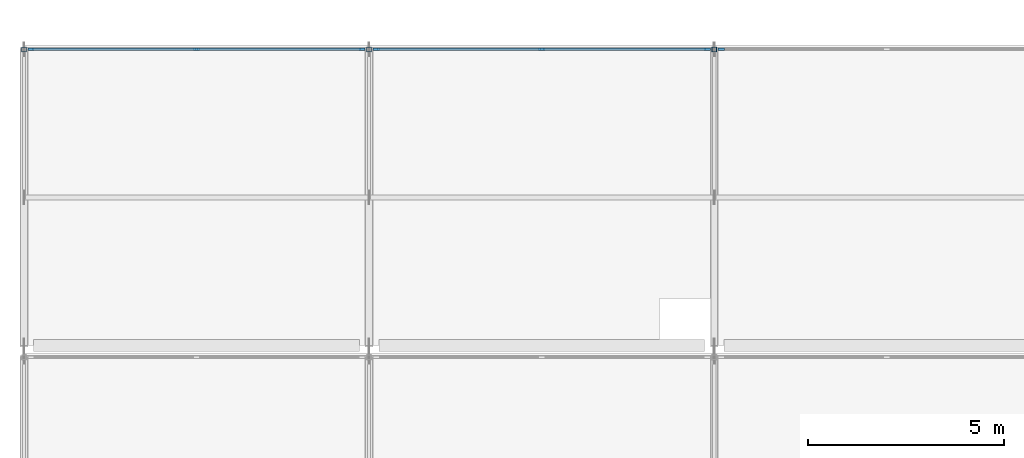
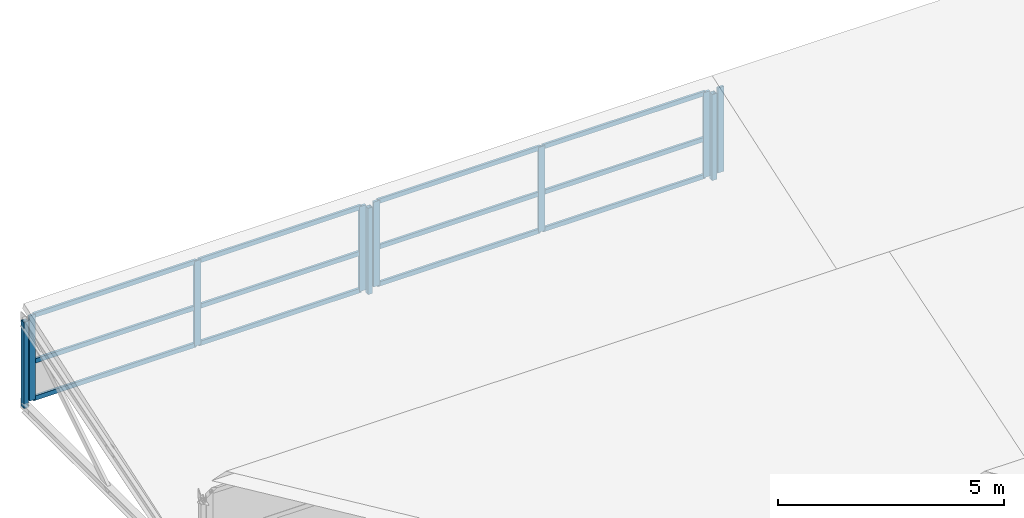
# One storey, part 17 of 40: 22 members, 3 elements without a shape of their own.
"""IFC4 building model written with IfcOpenShell, lengths in metres."""

import ifcopenshell
import ifcopenshell.guid

model = None  # the IFC model being written
_history = None  # IfcOwnerHistory: only IFC2X3 demands one
_inside = {}  # id of a spatial element -> (the spatial element, [elements in it])
_under = {}  # id of a project, library or spatial element -> (it, [spatial elements below it])
_declared = {}  # id of a project -> (the project, [libraries it declares])
_typed = {}  # id of a type object -> (the type object, [elements of that type])
_made_of = {}  # id of a material, layer set ... -> (it, [elements and type objects made of it])


def new_model(schema):
    """Start an empty IFC model of exactly this schema.

    Asked for "IFC4X3", IfcOpenShell would pick the latest addendum, in which some entities
    have other attributes; the version numbers below select the first issue.
    IFC2X3 requires an IfcOwnerHistory on every rooted entity: one is made here for all.
    """
    global model, _history
    if schema == "IFC4X3":
        model = ifcopenshell.file(schema_version=(4, 3, 0, 0))
    else:
        model = ifcopenshell.file(schema=schema)
    _inside.clear()
    _under.clear()
    _declared.clear()
    _typed.clear()
    _made_of.clear()
    _history = None
    if model.schema == "IFC2X3":
        org = make("IfcOrganization", Name="unknown")
        user = make(
            "IfcPersonAndOrganization",
            ThePerson=make("IfcPerson", FamilyName="unknown"),
            TheOrganization=org,
        )
        app = make(
            "IfcApplication",
            ApplicationDeveloper=org,
            Version="unknown",
            ApplicationFullName="unknown",
            ApplicationIdentifier="unknown",
        )
        _history = make(
            "IfcOwnerHistory",
            OwningUser=user,
            OwningApplication=app,
            ChangeAction="ADDED",
            CreationDate=0,
        )
    return model


def make(cls, **values):
    """One entity of the class cls with the attributes given. An attribute that is None is left unset."""
    return model.create_entity(
        cls, **{name: value for name, value in values.items() if value is not None}
    )


def rooted(cls, **values):
    """An entity with a GlobalId (a new one), such as an element, a storey or a relation."""
    return make(cls, GlobalId=ifcopenshell.guid.new(), OwnerHistory=_history, **values)


def si_unit(unit_type, name, prefix=None):
    """IfcSIUnit, for example si_unit("LENGTHUNIT", "METRE", prefix="MILLI")."""
    return make("IfcSIUnit", UnitType=unit_type, Prefix=prefix, Name=name)


def assignment(units):
    """IfcUnitAssignment: the units of a project."""
    return None if units is None else make("IfcUnitAssignment", Units=units)


def point(xyz):
    """IfcCartesianPoint."""
    return None if xyz is None else make("IfcCartesianPoint", Coordinates=xyz)


def direction(xyz):
    """IfcDirection."""
    return None if xyz is None else make("IfcDirection", DirectionRatios=xyz)


def frame(location, z_axis=None, x_axis=None):
    """IfcAxis2Placement3D, a coordinate frame: its origin and axes. An axis left out is left unset."""
    return make(
        "IfcAxis2Placement3D",
        Location=point(location),
        Axis=direction(z_axis),
        RefDirection=direction(x_axis),
    )


def frame_2d(location, x_axis=None):
    """IfcAxis2Placement2D, a coordinate frame in the plane: its origin and x axis."""
    return make(
        "IfcAxis2Placement2D", Location=point(location), RefDirection=direction(x_axis)
    )


def origin():
    """The frame at (0, 0, 0) with its axes left unset."""
    return frame((0.0, 0.0, 0.0))


def origin_2d():
    """The frame at (0, 0) in the plane with its x axis left unset."""
    return frame_2d((0.0, 0.0))


def place(relative_to, where):
    """IfcLocalPlacement: puts the frame where relative to a parent placement (None: the world)."""
    return make(
        "IfcLocalPlacement", PlacementRelTo=relative_to, RelativePlacement=where
    )


def context(
    kind, dimensions, precision=None, world=None, true_north=None, identifier=None
):
    """IfcGeometricRepresentationContext, for example the 3D "Model" context."""
    return make(
        "IfcGeometricRepresentationContext",
        ContextIdentifier=identifier,
        ContextType=kind,
        CoordinateSpaceDimension=dimensions,
        Precision=precision,
        WorldCoordinateSystem=world,
        TrueNorth=true_north,
    )


def subcontext(parent, identifier, kind, view, scale=None):
    """IfcGeometricRepresentationSubContext, for example "Body" below "Model"."""
    return make(
        "IfcGeometricRepresentationSubContext",
        ContextIdentifier=identifier,
        ContextType=kind,
        ParentContext=parent,
        TargetScale=scale,
        TargetView=view,
    )


def project(units=None, contexts=None):
    """IfcProject with its units and contexts."""
    return rooted(
        "IfcProject",
        Name="project",
        RepresentationContexts=contexts,
        UnitsInContext=assignment(units),
    )


def spatial(cls, under=None, at=None, **own):
    """A site, building, storey or space (cls), placed at a placement, below another one or the project."""
    s = rooted(cls, ObjectPlacement=at, **own)
    if under is not None:
        _under.setdefault(under.id(), (under, []))[1].append(s)
    return s


def profile(cls, at=None, kind="AREA", **sizes):
    """A parametric profile (cls). Its sizes go by their IFC names, for example OverallWidth=200.0."""
    return make(cls, ProfileType=kind, Position=at, **sizes)


def rectangle(**sizes):
    """IfcRectangleProfileDef."""
    return profile("IfcRectangleProfileDef", **sizes)


def hollow_rectangle(**sizes):
    """IfcRectangleHollowProfileDef."""
    return profile("IfcRectangleHollowProfileDef", **sizes)


def extrude(swept, where, along, depth):
    """IfcExtrudedAreaSolid: the profile swept, set in the frame where, extruded along a direction by depth."""
    return make(
        "IfcExtrudedAreaSolid",
        SweptArea=swept,
        Position=where,
        ExtrudedDirection=direction(along),
        Depth=depth,
    )


def shape(context_of_items, identifier, shape_type, items):
    """IfcShapeRepresentation: the items that make up one representation, for example the "Body"."""
    return make(
        "IfcShapeRepresentation",
        ContextOfItems=context_of_items,
        RepresentationIdentifier=identifier,
        RepresentationType=shape_type,
        Items=items,
    )


def material(Name=None, Category=None):
    """IfcMaterial."""
    return make("IfcMaterial", Name=Name, Category=Category)


def material_profile(
    of_material, cross_section, Name=None, Category=None, Priority=None
):
    """IfcMaterialProfile: a cross section and its material."""
    return make(
        "IfcMaterialProfile",
        Name=Name,
        Material=of_material,
        Profile=cross_section,
        Priority=Priority,
        Category=Category,
    )


def profile_set(profiles, Name=None, composite=None):
    """IfcMaterialProfileSet."""
    return make(
        "IfcMaterialProfileSet",
        Name=Name,
        MaterialProfiles=profiles,
        CompositeProfile=composite,
    )


def made_of(thing, what):
    """Note that an element or type object is made of a material, layer set ...; save() writes the relation."""
    if what is not None:
        _made_of.setdefault(what.id(), (what, []))[1].append(thing)
    return thing


def type_object(cls, material=None, **own):
    """A type object (cls), such as IfcWallType, which elements share."""
    return made_of(rooted(cls, **own), material)


def element(
    cls,
    number,
    at=None,
    inside=None,
    cuts=None,
    type_object=None,
    material=None,
    context=None,
    identifier="Body",
    shape_type=None,
    held_by="IfcProductDefinitionShape",
    body=None,
    shapes=None,
    **own,
):
    """One element of the class cls, such as IfcWall. Its Tag is "e" and its number.

    at: its placement. inside: the storey or other place that contains it. cuts: it is an
    opening in that element (IfcRelVoidsElement). A single representation is given by context,
    identifier, shape_type and body (its items); several are given by shapes. held_by: the class
    of the entity that holds the representations. save() writes the other relations.
    """
    e = rooted(cls, Tag="e%d" % number, ObjectPlacement=at, **own)
    if body is not None:
        shapes = [shape(context, identifier, shape_type, body)]
    if shapes is not None:
        e.Representation = make(held_by, Representations=shapes)
    if inside is not None:
        _inside.setdefault(inside.id(), (inside, []))[1].append(e)
    if cuts is not None:
        rooted(
            "IfcRelVoidsElement", RelatingBuildingElement=cuts, RelatedOpeningElement=e
        )
    if type_object is not None:
        _typed.setdefault(type_object.id(), (type_object, []))[1].append(e)
    return made_of(e, material)


def aggregate(whole, parts):
    """IfcRelAggregates: a whole, such as a stair, and the parts it consists of."""
    return rooted("IfcRelAggregates", RelatingObject=whole, RelatedObjects=parts)


def save(model, path):
    """Write the relations noted so far, then the file.

    IfcRelAggregates (storeys below a building ...), IfcRelContainedInSpatialStructure (elements
    in a storey), IfcRelDefinesByType, IfcRelAssociatesMaterial and IfcRelDeclares: one each for
    every whole, place, type object, material and project.
    """
    for whole, parts in _under.values():
        aggregate(whole, parts)
    for where, things in _inside.values():
        rooted(
            "IfcRelContainedInSpatialStructure",
            RelatedElements=things,
            RelatingStructure=where,
        )
    for kind, things in _typed.values():
        rooted("IfcRelDefinesByType", RelatedObjects=things, RelatingType=kind)
    for what, things in _made_of.values():
        rooted("IfcRelAssociatesMaterial", RelatedObjects=things, RelatingMaterial=what)
    for by, libraries in _declared.values():
        rooted("IfcRelDeclares", RelatingContext=by, RelatedDefinitions=libraries)
    model.write(path)


model = new_model("IFC4")

# Units and contexts
model_context = context("Model", 3, precision=1e-05, world=origin(), true_north=direction((0.0, 1.0)))
body_context = subcontext(model_context, "Body", "Model", "MODEL_VIEW")
ifc_project = project(units=[si_unit("LENGTHUNIT", "METRE"), si_unit("AREAUNIT", "SQUARE_METRE"), si_unit("VOLUMEUNIT", "CUBIC_METRE"), si_unit("PLANEANGLEUNIT", "RADIAN"), si_unit("MASSUNIT", "GRAM", prefix="KILO")], contexts=[model_context])

# Site, building, storey
site_placement = place(None, origin())
site = spatial("IfcSite", under=ifc_project, at=site_placement, CompositionType="ELEMENT")
building_placement = place(site_placement, origin())
building = spatial("IfcBuilding", under=site, at=building_placement, Name="Brinegate Botanical Conservatory", CompositionType="ELEMENT")
storey_placement = place(building_placement, frame((0.0, 0.0, 19.199951171875)))
storey = spatial("IfcBuildingStorey", under=building, at=storey_placement, Name="L05", CompositionType="ELEMENT", Elevation=19.199951171875)

# Curtain wall, members
ifc_material_1 = material(Name="Thermally broken anodised aluminium AW-6063-T6", Category="aluminium")
curtain_wall_type = type_object("IfcCurtainWallType", Name="CW_CW-SAW", PredefinedType="USERDEFINED", material=ifc_material_1)
curtain_wall_1_placement = place(storey_placement, origin())
curtain_wall_1 = element("IfcCurtainWall", 1, at=curtain_wall_1_placement, inside=storey, type_object=curtain_wall_type, Name="Sawtooth north-light clerestory B3.1", ObjectType="FACTORY CURTAIN WALL", PredefinedType="USERDEFINED")
ifc_material_profile_1 = material_profile(ifc_material_1, rectangle(XDim=0.06005859375, YDim=0.159912109375, at=origin_2d()), Name="ALUM MULLION 60x160")
ifc_profile_set_1 = profile_set([ifc_material_profile_1], Name="Thermally broken anodised aluminium AW-6063-T6")
member_type_1 = type_object("IfcMemberType", Name="Member_ML-01", PredefinedType="MULLION", material=ifc_profile_set_1)
member_1_placement = place(storey_placement, frame((50.97998046875, 111.14990234375, 0.150146484375), z_axis=(0.0, 0.0, 1.0), x_axis=(0.0, 1.0, 0.0)))
member_1 = element("IfcMember", 2, at=member_1_placement, type_object=member_type_1, Name="CW-SAW mullion 1", PredefinedType="MULLION", context=body_context, shape_type="SweptSolid", body=[
    extrude(rectangle(XDim=0.06005859375, YDim=0.159912109375, at=origin_2d()), origin(), (0.0, 0.0, 1.0), 2.2998046875),
])
member_2_placement = place(storey_placement, frame((55.199951171875, 111.14990234375, 0.150146484375), z_axis=(0.0, 0.0, 1.0), x_axis=(0.0, 1.0, 0.0)))
member_2 = element("IfcMember", 3, at=member_2_placement, type_object=member_type_1, Name="CW-SAW mullion 2", PredefinedType="MULLION", context=body_context, shape_type="SweptSolid", body=[
    extrude(rectangle(XDim=0.06005859375, YDim=0.159912109375, at=origin_2d()), origin(), (0.0, 0.0, 1.0), 2.2998046875),
])
member_3_placement = place(storey_placement, frame((59.419921875, 111.14990234375, 0.150146484375), z_axis=(0.0, 0.0, 1.0), x_axis=(0.0, 1.0, 0.0)))
member_3 = element("IfcMember", 4, at=member_3_placement, type_object=member_type_1, Name="CW-SAW mullion 3", PredefinedType="MULLION", context=body_context, shape_type="SweptSolid", body=[
    extrude(rectangle(XDim=0.06005859375, YDim=0.159912109375, at=origin_2d()), origin(), (0.0, 0.0, 1.0), 2.2998046875),
])

curtain_wall_2_placement = place(storey_placement, origin())
curtain_wall_2 = element("IfcCurtainWall", 5, at=curtain_wall_2_placement, inside=storey, type_object=curtain_wall_type, Name="Sawtooth north-light clerestory B3.2", ObjectType="FACTORY CURTAIN WALL", PredefinedType="USERDEFINED")
member_4_placement = place(storey_placement, frame((59.780029296875, 111.14990234375, 0.150146484375), z_axis=(0.0, 0.0, 1.0), x_axis=(0.0, 1.0, 0.0)))
member_4 = element("IfcMember", 6, at=member_4_placement, type_object=member_type_1, Name="CW-SAW mullion 1", PredefinedType="MULLION", context=body_context, shape_type="SweptSolid", body=[
    extrude(rectangle(XDim=0.06005859375, YDim=0.159912109375, at=origin_2d()), origin(), (0.0, 0.0, 1.0), 2.2998046875),
])
member_5_placement = place(storey_placement, frame((64.0, 111.14990234375, 0.150146484375), z_axis=(0.0, 0.0, 1.0), x_axis=(0.0, 1.0, 0.0)))
member_5 = element("IfcMember", 7, at=member_5_placement, type_object=member_type_1, Name="CW-SAW mullion 2", PredefinedType="MULLION", context=body_context, shape_type="SweptSolid", body=[
    extrude(rectangle(XDim=0.06005859375, YDim=0.159912109375, at=origin_2d()), origin(), (0.0, 0.0, 1.0), 2.2998046875),
])
member_6_placement = place(storey_placement, frame((68.219970703125, 111.14990234375, 0.150146484375), z_axis=(0.0, 0.0, 1.0), x_axis=(0.0, 1.0, 0.0)))
member_6 = element("IfcMember", 8, at=member_6_placement, type_object=member_type_1, Name="CW-SAW mullion 3", PredefinedType="MULLION", context=body_context, shape_type="SweptSolid", body=[
    extrude(rectangle(XDim=0.06005859375, YDim=0.159912109375, at=origin_2d()), origin(), (0.0, 0.0, 1.0), 2.2998046875),
])

# Curtain wall, member
curtain_wall_3_placement = place(storey_placement, origin())
curtain_wall_3 = element("IfcCurtainWall", 9, at=curtain_wall_3_placement, inside=storey, type_object=curtain_wall_type, Name="Sawtooth north-light clerestory B3.3", ObjectType="FACTORY CURTAIN WALL", PredefinedType="USERDEFINED")
member_7_placement = place(storey_placement, frame((68.580078125, 111.14990234375, 0.150146484375), z_axis=(0.0, 0.0, 1.0), x_axis=(0.0, 1.0, 0.0)))
member_7 = element("IfcMember", 10, at=member_7_placement, type_object=member_type_1, Name="CW-SAW mullion 1", PredefinedType="MULLION", context=body_context, shape_type="SweptSolid", body=[
    extrude(rectangle(XDim=0.06005859375, YDim=0.159912109375, at=origin_2d()), origin(), (0.0, 0.0, 1.0), 2.2998046875),
])
aggregate(curtain_wall_3, [member_7])

# Members
ifc_material_2 = material(Name="Structural steel Q355B / S355", Category="steel")
ifc_material_profile_2 = material_profile(ifc_material_2, hollow_rectangle(XDim=0.1201171875, YDim=0.1201171875, WallThickness=0.006103515625, at=origin_2d()), Name="SHS 120x120x6")
ifc_profile_set_2 = profile_set([ifc_material_profile_2], Name="Structural steel Q355B / S355")
member_type_2 = type_object("IfcMemberType", Name="Member_SS-01", PredefinedType="STRUT", material=ifc_profile_set_2)
for number, where, z_axis, x_axis, name in (
    (11, (50.800048828125, 111.14990234375, 0.02001953125), (0.0, 0.0, 1.0), (1.0, 0.0, 0.0), "Sawtooth north clerestory post SS-01 B3.T1"),
    (12, (59.60009765625, 111.14990234375, 0.02001953125), (0.0, 0.0, 1.0), (1.0, 0.0, 0.0), "Sawtooth north clerestory post SS-01 B3.T2"),
    (13, (68.39990234375, 111.14990234375, 0.02001953125), (0.0, 0.0, 1.0), (1.0, 0.0, 0.0), "Sawtooth north clerestory post SS-01 B3.T3"),
):
    element("IfcMember", number, at=place(storey_placement, frame(where, z_axis=z_axis, x_axis=x_axis)), inside=storey, type_object=member_type_2, Name=name, PredefinedType="STRUT", context=body_context, shape_type="SweptSolid", body=[
        extrude(hollow_rectangle(XDim=0.1201171875, YDim=0.1201171875, WallThickness=0.006103515625, at=origin_2d()), origin(), (0.0, 0.0, 1.0), 2.330078125),
    ])

# Member
ifc_material_profile_3 = material_profile(ifc_material_1, rectangle(XDim=0.06005859375, YDim=0.1201171875, at=origin_2d()), Name="ALUM TRANSOM 60x120")
ifc_profile_set_3 = profile_set([ifc_material_profile_3], Name="Thermally broken anodised aluminium AW-6063-T6")
member_type_3 = type_object("IfcMemberType", Name="Member_TR-01", PredefinedType="USERDEFINED", material=ifc_profile_set_3)
member_8_placement = place(storey_placement, frame((51.010009765625, 111.14990234375, 0.179931640625), z_axis=(1.0, 0.0, 0.0), x_axis=(0.0, 1.0, 0.0)))
member_8 = element("IfcMember", 14, at=member_8_placement, type_object=member_type_3, Name="CW-SAW transom 1.1", ObjectType="TRANSOM", PredefinedType="USERDEFINED", context=body_context, shape_type="SweptSolid", body=[
    extrude(rectangle(XDim=0.06005859375, YDim=0.1201171875, at=origin_2d()), origin(), (0.0, 0.0, 1.0), 4.159912109375),
])

member_9_placement = place(storey_placement, frame((51.010009765625, 111.14990234375, 1.18505859375), z_axis=(1.0, 0.0, 0.0), x_axis=(0.0, 1.0, 0.0)))
member_9 = element("IfcMember", 15, at=member_9_placement, type_object=member_type_3, Name="CW-SAW transom 1.2", ObjectType="TRANSOM", PredefinedType="USERDEFINED", context=body_context, shape_type="SweptSolid", body=[
    extrude(rectangle(XDim=0.06005859375, YDim=0.1201171875, at=origin_2d()), origin(), (0.0, 0.0, 1.0), 4.159912109375),
])

member_10_placement = place(storey_placement, frame((51.010009765625, 111.14990234375, 2.420166015625), z_axis=(1.0, 0.0, 0.0), x_axis=(0.0, 1.0, 0.0)))
member_10 = element("IfcMember", 16, at=member_10_placement, type_object=member_type_3, Name="CW-SAW transom 1.3", ObjectType="TRANSOM", PredefinedType="USERDEFINED", context=body_context, shape_type="SweptSolid", body=[
    extrude(rectangle(XDim=0.06005859375, YDim=0.1201171875, at=origin_2d()), origin(), (0.0, 0.0, 1.0), 4.159912109375),
])

member_11_placement = place(storey_placement, frame((55.22998046875, 111.14990234375, 0.179931640625), z_axis=(1.0, 0.0, 0.0), x_axis=(0.0, 1.0, 0.0)))
member_11 = element("IfcMember", 17, at=member_11_placement, type_object=member_type_3, Name="CW-SAW transom 2.1", ObjectType="TRANSOM", PredefinedType="USERDEFINED", context=body_context, shape_type="SweptSolid", body=[
    extrude(rectangle(XDim=0.06005859375, YDim=0.1201171875, at=origin_2d()), origin(), (0.0, 0.0, 1.0), 4.159912109375),
])

member_12_placement = place(storey_placement, frame((55.22998046875, 111.14990234375, 1.18505859375), z_axis=(1.0, 0.0, 0.0), x_axis=(0.0, 1.0, 0.0)))
member_12 = element("IfcMember", 18, at=member_12_placement, type_object=member_type_3, Name="CW-SAW transom 2.2", ObjectType="TRANSOM", PredefinedType="USERDEFINED", context=body_context, shape_type="SweptSolid", body=[
    extrude(rectangle(XDim=0.06005859375, YDim=0.1201171875, at=origin_2d()), origin(), (0.0, 0.0, 1.0), 4.159912109375),
])

member_13_placement = place(storey_placement, frame((55.22998046875, 111.14990234375, 2.420166015625), z_axis=(1.0, 0.0, 0.0), x_axis=(0.0, 1.0, 0.0)))
member_13 = element("IfcMember", 19, at=member_13_placement, type_object=member_type_3, Name="CW-SAW transom 2.3", ObjectType="TRANSOM", PredefinedType="USERDEFINED", context=body_context, shape_type="SweptSolid", body=[
    extrude(rectangle(XDim=0.06005859375, YDim=0.1201171875, at=origin_2d()), origin(), (0.0, 0.0, 1.0), 4.159912109375),
])

aggregate(curtain_wall_1, [member_1, member_2, member_3, member_8, member_9, member_10, member_11, member_12, member_13])

member_14_placement = place(storey_placement, frame((59.81005859375, 111.14990234375, 0.179931640625), z_axis=(1.0, 0.0, 0.0), x_axis=(0.0, 1.0, 0.0)))
member_14 = element("IfcMember", 20, at=member_14_placement, type_object=member_type_3, Name="CW-SAW transom 1.1", ObjectType="TRANSOM", PredefinedType="USERDEFINED", context=body_context, shape_type="SweptSolid", body=[
    extrude(rectangle(XDim=0.06005859375, YDim=0.1201171875, at=origin_2d()), origin(), (0.0, 0.0, 1.0), 4.159912109375),
])

member_15_placement = place(storey_placement, frame((59.81005859375, 111.14990234375, 1.18505859375), z_axis=(1.0, 0.0, 0.0), x_axis=(0.0, 1.0, 0.0)))
member_15 = element("IfcMember", 21, at=member_15_placement, type_object=member_type_3, Name="CW-SAW transom 1.2", ObjectType="TRANSOM", PredefinedType="USERDEFINED", context=body_context, shape_type="SweptSolid", body=[
    extrude(rectangle(XDim=0.06005859375, YDim=0.1201171875, at=origin_2d()), origin(), (0.0, 0.0, 1.0), 4.159912109375),
])

member_16_placement = place(storey_placement, frame((59.81005859375, 111.14990234375, 2.420166015625), z_axis=(1.0, 0.0, 0.0), x_axis=(0.0, 1.0, 0.0)))
member_16 = element("IfcMember", 22, at=member_16_placement, type_object=member_type_3, Name="CW-SAW transom 1.3", ObjectType="TRANSOM", PredefinedType="USERDEFINED", context=body_context, shape_type="SweptSolid", body=[
    extrude(rectangle(XDim=0.06005859375, YDim=0.1201171875, at=origin_2d()), origin(), (0.0, 0.0, 1.0), 4.159912109375),
])

member_17_placement = place(storey_placement, frame((64.030029296875, 111.14990234375, 0.179931640625), z_axis=(1.0, 0.0, 0.0), x_axis=(0.0, 1.0, 0.0)))
member_17 = element("IfcMember", 23, at=member_17_placement, type_object=member_type_3, Name="CW-SAW transom 2.1", ObjectType="TRANSOM", PredefinedType="USERDEFINED", context=body_context, shape_type="SweptSolid", body=[
    extrude(rectangle(XDim=0.06005859375, YDim=0.1201171875, at=origin_2d()), origin(), (0.0, 0.0, 1.0), 4.159912109375),
])

member_18_placement = place(storey_placement, frame((64.030029296875, 111.14990234375, 1.18505859375), z_axis=(1.0, 0.0, 0.0), x_axis=(0.0, 1.0, 0.0)))
member_18 = element("IfcMember", 24, at=member_18_placement, type_object=member_type_3, Name="CW-SAW transom 2.2", ObjectType="TRANSOM", PredefinedType="USERDEFINED", context=body_context, shape_type="SweptSolid", body=[
    extrude(rectangle(XDim=0.06005859375, YDim=0.1201171875, at=origin_2d()), origin(), (0.0, 0.0, 1.0), 4.159912109375),
])

member_19_placement = place(storey_placement, frame((64.030029296875, 111.14990234375, 2.420166015625), z_axis=(1.0, 0.0, 0.0), x_axis=(0.0, 1.0, 0.0)))
member_19 = element("IfcMember", 25, at=member_19_placement, type_object=member_type_3, Name="CW-SAW transom 2.3", ObjectType="TRANSOM", PredefinedType="USERDEFINED", context=body_context, shape_type="SweptSolid", body=[
    extrude(rectangle(XDim=0.06005859375, YDim=0.1201171875, at=origin_2d()), origin(), (0.0, 0.0, 1.0), 4.159912109375),
])

aggregate(curtain_wall_2, [member_4, member_5, member_6, member_14, member_15, member_16, member_17, member_18, member_19])

save(model, "model.ifc")
